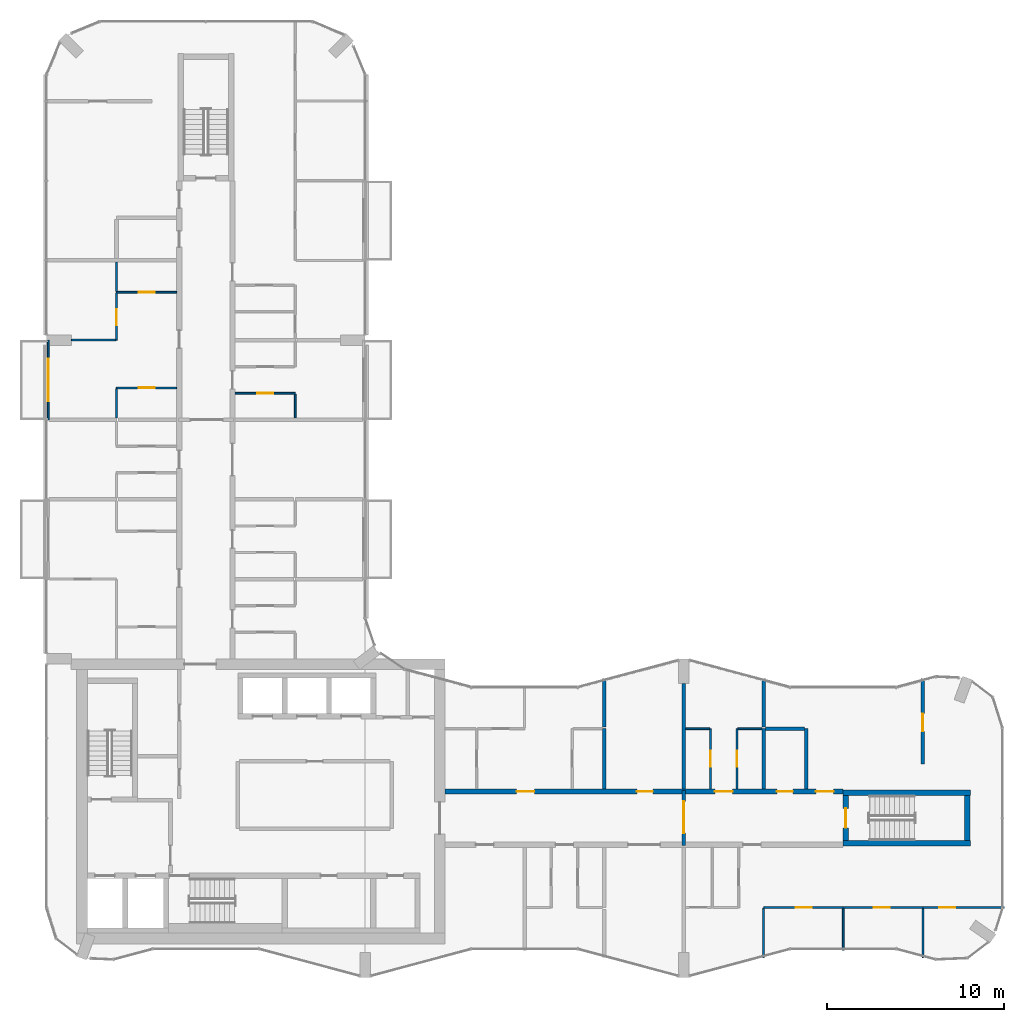
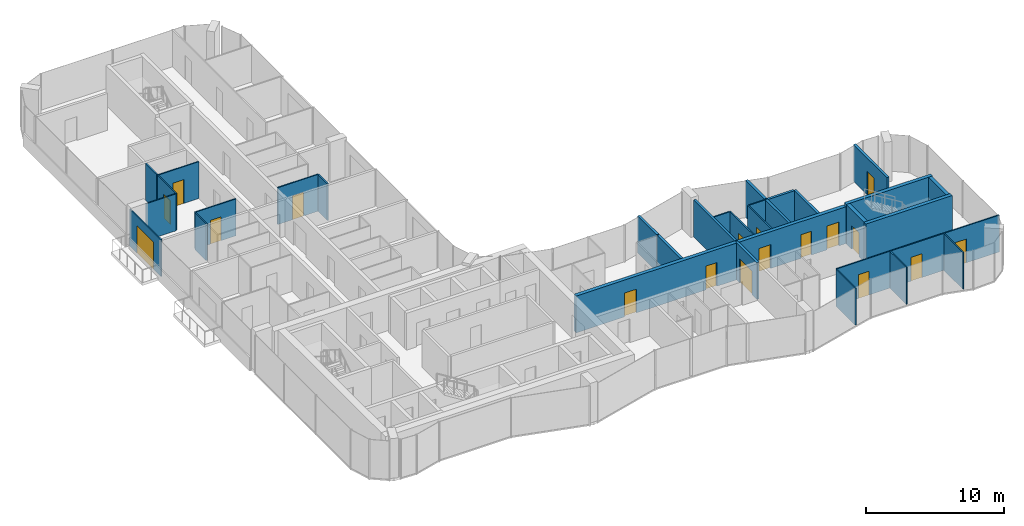
# One storey, part 12 of 17: 31 walls, 18 doors, 18 openings.
"""IFC4 building model written with IfcOpenShell, lengths in metres."""

from ifc_helpers import new_model, si_unit, direction, frame, frame_2d, origin, place, context, subcontext, project, spatial, rectangle, extrude, material, layer, layer_set, type_object, element, fill, save


model = new_model("IFC4")

# Units and contexts
model_context = context("Model", 3, precision=1e-05, world=origin(), true_north=direction((0.0, 1.0)))
body_context = subcontext(model_context, "Body", "Model", "MODEL_VIEW")
ifc_project = project(units=[si_unit("LENGTHUNIT", "METRE"), si_unit("AREAUNIT", "SQUARE_METRE"), si_unit("VOLUMEUNIT", "CUBIC_METRE"), si_unit("PLANEANGLEUNIT", "RADIAN"), si_unit("MASSUNIT", "GRAM", prefix="KILO")], contexts=[model_context])

# Site, building, storey
site_placement = place(None, origin())
site = spatial("IfcSite", under=ifc_project, at=site_placement, CompositionType="ELEMENT")
building_placement = place(site_placement, origin())
building = spatial("IfcBuilding", under=site, at=building_placement, Name="Plateau Cross Towers", CompositionType="ELEMENT")
storey_placement = place(building_placement, frame((0.0, 0.0, 146.39990234375)))
storey = spatial("IfcBuildingStorey", under=building, at=storey_placement, Name="L37", CompositionType="ELEMENT", Elevation=146.39990234375)

# Wall, opening, door
ifc_material_1 = material(Name="Aluminium framed glazing", Category="aluminium")
ifc_layer_1 = layer(ifc_material_1, 0.10009765625)
ifc_layer_set_1 = layer_set([ifc_layer_1], Name="Aluminium framed glazing")
wall_type_1 = type_object("IfcWallType", Name="Balcony screen wall 100", PredefinedType="STANDARD", material=ifc_layer_set_1)
wall_1_placement = place(storey_placement, frame((0.10009765625, 31.5, 0.0), z_axis=(0.0, 0.0, 1.0), x_axis=(0.0, 1.0, 0.0)))
wall_1 = element("IfcWall", 1, at=wall_1_placement, inside=storey, type_object=wall_type_1, Name="Balcony screen wall A-BAL-L37-02", PredefinedType="STANDARD", context=body_context, shape_type="SweptSolid", body=[
    extrude(rectangle(XDim=4.5, YDim=0.10009765625, at=frame_2d((2.25, 0.0))), origin(), (0.0, 0.0, 1.0), 3.25),
])
opening_1_placement = place(wall_1_placement, frame((1.050048828125, 0.0, 0.0)))
opening_1 = element("IfcOpeningElement", 2, at=opening_1_placement, cuts=wall_1, Name="Opening D-B24", PredefinedType="OPENING", context=body_context, shape_type="SweptSolid", body=[
    extrude(rectangle(XDim=2.39990234375, YDim=2.39990234375, at=frame_2d((1.199951171875, 1.199951171875))), frame((0.0, 0.06005859375, 0.0), z_axis=(0.0, -1.0, 0.0), x_axis=(1.0, 0.0, 0.0)), (0.0, 0.0, 1.0), 0.1201171875),
])
ifc_material_2 = material(Name="Aluminium frame, double glazing", Category="aluminium")
door_type_1 = type_object("IfcDoorType", Name="Balcony sliding door 2400", OperationType="NOTDEFINED", PredefinedType="DOOR", material=ifc_material_2)
door_1_placement = place(opening_1_placement, origin())
door_1 = element("IfcDoor", 3, at=door_1_placement, inside=storey, type_object=door_type_1, Name="Balcony door A-BAL-L37-02", OperationType="SINGLE_SWING_LEFT", OverallHeight=2.39990234375, OverallWidth=2.39990234375, PredefinedType="DOOR", context=body_context, shape_type="SweptSolid", body=[
    extrude(rectangle(XDim=2.39990234375, YDim=2.39990234375, at=frame_2d((1.199951171875, 1.199951171875))), frame((0.0, 0.02490234375, 0.0), z_axis=(0.0, -1.0, 0.0), x_axis=(1.0, 0.0, 0.0)), (0.0, 0.0, 1.0), 0.050048828125),
])
fill(opening_1, door_1)

# Wall, openings, doors
ifc_material_3 = material(Name="Concrete C60/75", Category="concrete")
ifc_layer_2 = layer(ifc_material_3, 0.300048828125)
ifc_layer_set_2 = layer_set([ifc_layer_2], Name="Concrete C60/75")
wall_type_2 = type_object("IfcWallType", Name="Corridor wall 300", PredefinedType="SHEAR", material=ifc_layer_set_2)
wall_2_placement = place(storey_placement, frame((22.5, 10.5, 0.0), z_axis=(0.0, 0.0, 1.0), x_axis=(1.0, 0.0, 0.0)))
wall_2 = element("IfcWall", 4, at=wall_2_placement, inside=storey, type_object=wall_type_2, Name="A-cw-S2@L37", PredefinedType="SHEAR", context=body_context, shape_type="SweptSolid", body=[
    extrude(rectangle(XDim=22.5, YDim=0.300048828125, at=frame_2d((11.25, 0.0))), origin(), (0.0, 0.0, 1.0), 3.25),
])
opening_2_placement = place(wall_2_placement, frame((4.050048828125, 0.0, 0.0)))
opening_2 = element("IfcOpeningElement", 5, at=opening_2_placement, cuts=wall_2, Name="Opening 37-05", PredefinedType="OPENING", context=body_context, shape_type="SweptSolid", body=[
    extrude(rectangle(XDim=1.0, YDim=2.10009765625, at=frame_2d((0.5, 1.050048828125))), frame((0.0, 0.159912109375, 0.0), z_axis=(0.0, -1.0, 0.0), x_axis=(1.0, 0.0, 0.0)), (0.0, 0.0, 1.0), 0.320068359375),
])
opening_3_placement = place(wall_2_placement, frame((10.85009765625, 0.0, 0.0)))
opening_3 = element("IfcOpeningElement", 6, at=opening_3_placement, cuts=wall_2, Name="Opening 37-06", PredefinedType="OPENING", context=body_context, shape_type="SweptSolid", body=[
    extrude(rectangle(XDim=0.89990234375, YDim=2.10009765625, at=frame_2d((0.449951171875, 1.050048828125))), frame((0.0, 0.159912109375, 0.0), z_axis=(0.0, -1.0, 0.0), x_axis=(1.0, 0.0, 0.0)), (0.0, 0.0, 1.0), 0.320068359375),
])
opening_4_placement = place(wall_2_placement, frame((15.25, 0.0, 0.0)))
opening_4 = element("IfcOpeningElement", 7, at=opening_4_placement, cuts=wall_2, Name="Opening 37-07", PredefinedType="OPENING", context=body_context, shape_type="SweptSolid", body=[
    extrude(rectangle(XDim=1.0, YDim=2.10009765625, at=frame_2d((0.5, 1.050048828125))), frame((0.0, 0.159912109375, 0.0), z_axis=(0.0, -1.0, 0.0), x_axis=(1.0, 0.0, 0.0)), (0.0, 0.0, 1.0), 0.320068359375),
])
opening_5_placement = place(wall_2_placement, frame((18.75, 0.0, 0.0)))
opening_5 = element("IfcOpeningElement", 8, at=opening_5_placement, cuts=wall_2, Name="Opening 37-08", PredefinedType="OPENING", context=body_context, shape_type="SweptSolid", body=[
    extrude(rectangle(XDim=0.89990234375, YDim=2.10009765625, at=frame_2d((0.449951171875, 1.050048828125))), frame((0.0, 0.159912109375, 0.0), z_axis=(0.0, -1.0, 0.0), x_axis=(1.0, 0.0, 0.0)), (0.0, 0.0, 1.0), 0.320068359375),
])
opening_6_placement = place(wall_2_placement, frame((20.949951171875, 0.0, 0.0)))
opening_6 = element("IfcOpeningElement", 9, at=opening_6_placement, cuts=wall_2, Name="Opening 37-09", PredefinedType="OPENING", context=body_context, shape_type="SweptSolid", body=[
    extrude(rectangle(XDim=1.0, YDim=2.10009765625, at=frame_2d((0.5, 1.050048828125))), frame((0.0, 0.159912109375, 0.0), z_axis=(0.0, -1.0, 0.0), x_axis=(1.0, 0.0, 0.0)), (0.0, 0.0, 1.0), 0.320068359375),
])
ifc_material_4 = material(Name="Timber, fire-resisting leaf", Category="wood")
door_type_2 = type_object("IfcDoorType", Name="Flat entrance door 1000", OperationType="NOTDEFINED", PredefinedType="DOOR", material=ifc_material_4)
door_2_placement = place(opening_2_placement, origin())
door_2 = element("IfcDoor", 10, at=door_2_placement, inside=storey, type_object=door_type_2, Name="Door 37-05", OperationType="SINGLE_SWING_LEFT", OverallHeight=2.10009765625, OverallWidth=1.0, PredefinedType="DOOR", context=body_context, shape_type="SweptSolid", body=[
    extrude(rectangle(XDim=1.0, YDim=2.10009765625, at=frame_2d((0.5, 1.050048828125))), frame((0.0, 0.02490234375, 0.0), z_axis=(0.0, -1.0, 0.0), x_axis=(1.0, 0.0, 0.0)), (0.0, 0.0, 1.0), 0.050048828125),
])
fill(opening_2, door_2)
door_3_placement = place(opening_4_placement, origin())
door_3 = element("IfcDoor", 11, at=door_3_placement, inside=storey, type_object=door_type_2, Name="Door 37-07", OperationType="SINGLE_SWING_RIGHT", OverallHeight=2.10009765625, OverallWidth=1.0, PredefinedType="DOOR", context=body_context, shape_type="SweptSolid", body=[
    extrude(rectangle(XDim=1.0, YDim=2.10009765625, at=frame_2d((0.5, 1.050048828125))), frame((0.0, 0.02490234375, 0.0), z_axis=(0.0, -1.0, 0.0), x_axis=(1.0, 0.0, 0.0)), (0.0, 0.0, 1.0), 0.050048828125),
])
fill(opening_4, door_3)
door_4_placement = place(opening_6_placement, origin())
door_4 = element("IfcDoor", 12, at=door_4_placement, inside=storey, type_object=door_type_2, Name="Door 37-09", OperationType="SINGLE_SWING_RIGHT", OverallHeight=2.10009765625, OverallWidth=1.0, PredefinedType="DOOR", context=body_context, shape_type="SweptSolid", body=[
    extrude(rectangle(XDim=1.0, YDim=2.10009765625, at=frame_2d((0.5, 1.050048828125))), frame((0.0, 0.02490234375, 0.0), z_axis=(0.0, -1.0, 0.0), x_axis=(1.0, 0.0, 0.0)), (0.0, 0.0, 1.0), 0.050048828125),
])
fill(opening_6, door_4)
door_type_3 = type_object("IfcDoorType", Name="Flat floor service door 900", OperationType="NOTDEFINED", PredefinedType="DOOR", material=ifc_material_4)
door_5_placement = place(opening_3_placement, origin())
door_5 = element("IfcDoor", 13, at=door_5_placement, inside=storey, type_object=door_type_3, Name="Door 37-06", OperationType="SINGLE_SWING_RIGHT", OverallHeight=2.10009765625, OverallWidth=0.89990234375, PredefinedType="DOOR", context=body_context, shape_type="SweptSolid", body=[
    extrude(rectangle(XDim=0.89990234375, YDim=2.10009765625, at=frame_2d((0.449951171875, 1.050048828125))), frame((0.0, 0.02490234375, 0.0), z_axis=(0.0, -1.0, 0.0), x_axis=(1.0, 0.0, 0.0)), (0.0, 0.0, 1.0), 0.050048828125),
])
fill(opening_3, door_5)
door_6_placement = place(opening_5_placement, origin())
door_6 = element("IfcDoor", 14, at=door_6_placement, inside=storey, type_object=door_type_3, Name="Door 37-08", OperationType="SINGLE_SWING_RIGHT", OverallHeight=2.10009765625, OverallWidth=0.89990234375, PredefinedType="DOOR", context=body_context, shape_type="SweptSolid", body=[
    extrude(rectangle(XDim=0.89990234375, YDim=2.10009765625, at=frame_2d((0.449951171875, 1.050048828125))), frame((0.0, 0.02490234375, 0.0), z_axis=(0.0, -1.0, 0.0), x_axis=(1.0, 0.0, 0.0)), (0.0, 0.0, 1.0), 0.050048828125),
])
fill(opening_5, door_6)

ifc_material_5 = material(Name="Gypsum board on steel studs", Category="steel")
ifc_layer_3 = layer(ifc_material_5, 0.10009765625)
ifc_layer_set_3 = layer_set([ifc_layer_3], Name="Gypsum board on steel studs")
wall_type_3 = type_object("IfcWallType", Name="Flat partition 100", PredefinedType="PARTITIONING", material=ifc_layer_set_3)
wall_3_placement = place(storey_placement, frame((54.080078125, 3.949951171875, 0.0), z_axis=(0.0, 0.0, 1.0), x_axis=(-1.0, 0.0, 0.0)))
wall_3 = element("IfcWall", 15, at=wall_3_placement, inside=storey, type_object=wall_type_3, Name="Partition wall", PredefinedType="PARTITIONING", context=body_context, shape_type="SweptSolid", body=[
    extrude(rectangle(XDim=13.580078125, YDim=0.10009765625, at=frame_2d((6.7900390625, 0.0))), origin(), (0.0, 0.0, 1.0), 3.25),
])
opening_7_placement = place(wall_3_placement, frame((10.85009765625, 0.0, 0.0)))
opening_7 = element("IfcOpeningElement", 16, at=opening_7_placement, cuts=wall_3, Name="Opening 37-28", PredefinedType="OPENING", context=body_context, shape_type="SweptSolid", body=[
    extrude(rectangle(XDim=0.89990234375, YDim=2.10009765625, at=frame_2d((0.449951171875, 1.050048828125))), frame((0.0, 0.06005859375, 0.0), z_axis=(0.0, -1.0, 0.0), x_axis=(1.0, 0.0, 0.0)), (0.0, 0.0, 1.0), 0.1201171875),
])
opening_8_placement = place(wall_3_placement, frame((6.449951171875, 0.0, 0.0)))
opening_8 = element("IfcOpeningElement", 17, at=opening_8_placement, cuts=wall_3, Name="Opening 37-29", PredefinedType="OPENING", context=body_context, shape_type="SweptSolid", body=[
    extrude(rectangle(XDim=0.89990234375, YDim=2.10009765625, at=frame_2d((0.449951171875, 1.050048828125))), frame((0.0, 0.06005859375, 0.0), z_axis=(0.0, -1.0, 0.0), x_axis=(1.0, 0.0, 0.0)), (0.0, 0.0, 1.0), 0.1201171875),
])
opening_9_placement = place(wall_3_placement, frame((2.75, 0.0, 0.0)))
opening_9 = element("IfcOpeningElement", 18, at=opening_9_placement, cuts=wall_3, Name="Opening 37-30", PredefinedType="OPENING", context=body_context, shape_type="SweptSolid", body=[
    extrude(rectangle(XDim=0.89990234375, YDim=2.10009765625, at=frame_2d((0.449951171875, 1.050048828125))), frame((0.0, 0.06005859375, 0.0), z_axis=(0.0, -1.0, 0.0), x_axis=(1.0, 0.0, 0.0)), (0.0, 0.0, 1.0), 0.1201171875),
])
ifc_material_6 = material(Name="Timber leaf", Category="wood")
door_type_4 = type_object("IfcDoorType", Name="Flat room door 900", OperationType="NOTDEFINED", PredefinedType="DOOR", material=ifc_material_6)
door_7_placement = place(opening_7_placement, origin())
door_7 = element("IfcDoor", 19, at=door_7_placement, inside=storey, type_object=door_type_4, Name="Door 37-28", OperationType="SINGLE_SWING_RIGHT", OverallHeight=2.10009765625, OverallWidth=0.89990234375, PredefinedType="DOOR", context=body_context, shape_type="SweptSolid", body=[
    extrude(rectangle(XDim=0.89990234375, YDim=2.10009765625, at=frame_2d((0.449951171875, 1.050048828125))), frame((0.0, 0.02490234375, 0.0), z_axis=(0.0, -1.0, 0.0), x_axis=(1.0, 0.0, 0.0)), (0.0, 0.0, 1.0), 0.050048828125),
])
fill(opening_7, door_7)
door_8_placement = place(opening_8_placement, origin())
door_8 = element("IfcDoor", 20, at=door_8_placement, inside=storey, type_object=door_type_4, Name="Door 37-29", OperationType="SINGLE_SWING_RIGHT", OverallHeight=2.10009765625, OverallWidth=0.89990234375, PredefinedType="DOOR", context=body_context, shape_type="SweptSolid", body=[
    extrude(rectangle(XDim=0.89990234375, YDim=2.10009765625, at=frame_2d((0.449951171875, 1.050048828125))), frame((0.0, 0.02490234375, 0.0), z_axis=(0.0, -1.0, 0.0), x_axis=(1.0, 0.0, 0.0)), (0.0, 0.0, 1.0), 0.050048828125),
])
fill(opening_8, door_8)
door_9_placement = place(opening_9_placement, origin())
door_9 = element("IfcDoor", 21, at=door_9_placement, inside=storey, type_object=door_type_4, Name="Door 37-30", OperationType="SINGLE_SWING_LEFT", OverallHeight=2.10009765625, OverallWidth=0.89990234375, PredefinedType="DOOR", context=body_context, shape_type="SweptSolid", body=[
    extrude(rectangle(XDim=0.89990234375, YDim=2.10009765625, at=frame_2d((0.449951171875, 1.050048828125))), frame((0.0, 0.02490234375, 0.0), z_axis=(0.0, -1.0, 0.0), x_axis=(1.0, 0.0, 0.0)), (0.0, 0.0, 1.0), 0.050048828125),
])
fill(opening_9, door_9)

# Walls
for number, where, z_axis, x_axis, name in (
    (22, (37.449951171875, 14.050048828125, 0.0), (0.0, 0.0, 1.0), (-1.0, 0.0, 0.0), "Partition wall"),
    (23, (40.39990234375, 14.050048828125, 0.0), (0.0, 0.0, 1.0), (-1.0, 0.0, 0.0), "Partition wall"),
):
    element("IfcWall", number, at=place(storey_placement, frame(where, z_axis=z_axis, x_axis=x_axis)), inside=storey, type_object=wall_type_3, Name=name, PredefinedType="PARTITIONING", context=body_context, shape_type="SweptSolid", body=[
        extrude(rectangle(XDim=1.349853515625, YDim=0.10009765625, at=frame_2d((0.6748046875, 0.0))), origin(), (0.0, 0.0, 1.0), 3.25),
    ])

# Wall, opening, door
wall_4_placement = place(storey_placement, frame((14.050048828125, 33.0, 0.0), z_axis=(0.0, 0.0, 1.0), x_axis=(-1.0, 0.0, 0.0)))
wall_4 = element("IfcWall", 24, at=wall_4_placement, inside=storey, type_object=wall_type_3, Name="Partition wall", PredefinedType="PARTITIONING", context=body_context, shape_type="SweptSolid", body=[
    extrude(rectangle(XDim=3.400146484375, YDim=0.10009765625, at=frame_2d((1.7001953125, 0.0))), origin(), (0.0, 0.0, 1.0), 3.25),
])
opening_10_placement = place(wall_4_placement, frame((1.25, 0.0, 0.0)))
opening_10 = element("IfcOpeningElement", 25, at=opening_10_placement, cuts=wall_4, Name="Opening 37-48", PredefinedType="OPENING", context=body_context, shape_type="SweptSolid", body=[
    extrude(rectangle(XDim=0.89990234375, YDim=2.10009765625, at=frame_2d((0.449951171875, 1.050048828125))), frame((0.0, 0.06005859375, 0.0), z_axis=(0.0, -1.0, 0.0), x_axis=(1.0, 0.0, 0.0)), (0.0, 0.0, 1.0), 0.1201171875),
])
door_10_placement = place(opening_10_placement, origin())
door_10 = element("IfcDoor", 26, at=door_10_placement, inside=storey, type_object=door_type_4, Name="Door 37-48", OperationType="SINGLE_SWING_LEFT", OverallHeight=2.10009765625, OverallWidth=0.89990234375, PredefinedType="DOOR", context=body_context, shape_type="SweptSolid", body=[
    extrude(rectangle(XDim=0.89990234375, YDim=2.10009765625, at=frame_2d((0.449951171875, 1.050048828125))), frame((0.0, 0.02490234375, 0.0), z_axis=(0.0, -1.0, 0.0), x_axis=(1.0, 0.0, 0.0)), (0.0, 0.0, 1.0), 0.050048828125),
])
fill(opening_10, door_10)

wall_5_placement = place(storey_placement, frame((7.35009765625, 33.300048828125, 0.0), z_axis=(0.0, 0.0, 1.0), x_axis=(-1.0, 0.0, 0.0)))
wall_5 = element("IfcWall", 27, at=wall_5_placement, inside=storey, type_object=wall_type_3, Name="Partition wall", PredefinedType="PARTITIONING", context=body_context, shape_type="SweptSolid", body=[
    extrude(rectangle(XDim=3.400146484375, YDim=0.10009765625, at=frame_2d((1.7001953125, 0.0))), origin(), (0.0, 0.0, 1.0), 3.25),
])
opening_11_placement = place(wall_5_placement, frame((1.25, 0.0, 0.0)))
opening_11 = element("IfcOpeningElement", 28, at=opening_11_placement, cuts=wall_5, Name="Opening 37-41", PredefinedType="OPENING", context=body_context, shape_type="SweptSolid", body=[
    extrude(rectangle(XDim=0.89990234375, YDim=2.10009765625, at=frame_2d((0.449951171875, 1.050048828125))), frame((0.0, 0.06005859375, 0.0), z_axis=(0.0, -1.0, 0.0), x_axis=(1.0, 0.0, 0.0)), (0.0, 0.0, 1.0), 0.1201171875),
])
door_11_placement = place(opening_11_placement, origin())
door_11 = element("IfcDoor", 29, at=door_11_placement, inside=storey, type_object=door_type_4, Name="Door 37-41", OperationType="SINGLE_SWING_RIGHT", OverallHeight=2.10009765625, OverallWidth=0.89990234375, PredefinedType="DOOR", context=body_context, shape_type="SweptSolid", body=[
    extrude(rectangle(XDim=0.89990234375, YDim=2.10009765625, at=frame_2d((0.449951171875, 1.050048828125))), frame((0.0, 0.02490234375, 0.0), z_axis=(0.0, -1.0, 0.0), x_axis=(1.0, 0.0, 0.0)), (0.0, 0.0, 1.0), 0.050048828125),
])
fill(opening_11, door_11)

# Wall
wall_6_placement = place(storey_placement, frame((1.39990234375, 36.0, 0.0), z_axis=(0.0, 0.0, 1.0), x_axis=(1.0, 0.0, 0.0)))
element("IfcWall", 30, at=wall_6_placement, inside=storey, type_object=wall_type_3, Name="Partition wall", PredefinedType="PARTITIONING", context=body_context, shape_type="SweptSolid", body=[
    extrude(rectangle(XDim=2.5, YDim=0.10009765625, at=frame_2d((1.25, 0.0))), origin(), (0.0, 0.0, 1.0), 3.25),
])

# Wall, opening, door
wall_7_placement = place(storey_placement, frame((3.949951171875, 38.699951171875, 0.0), z_axis=(0.0, 0.0, 1.0), x_axis=(1.0, 0.0, 0.0)))
wall_7 = element("IfcWall", 31, at=wall_7_placement, inside=storey, type_object=wall_type_3, Name="Partition wall", PredefinedType="PARTITIONING", context=body_context, shape_type="SweptSolid", body=[
    extrude(rectangle(XDim=3.400146484375, YDim=0.10009765625, at=frame_2d((1.7001953125, 0.0))), origin(), (0.0, 0.0, 1.0), 3.25),
])
opening_12_placement = place(wall_7_placement, frame((1.25, 0.0, 0.0)))
opening_12 = element("IfcOpeningElement", 32, at=opening_12_placement, cuts=wall_7, Name="Opening 37-42", PredefinedType="OPENING", context=body_context, shape_type="SweptSolid", body=[
    extrude(rectangle(XDim=0.89990234375, YDim=2.10009765625, at=frame_2d((0.449951171875, 1.050048828125))), frame((0.0, 0.06005859375, 0.0), z_axis=(0.0, -1.0, 0.0), x_axis=(1.0, 0.0, 0.0)), (0.0, 0.0, 1.0), 0.1201171875),
])
door_12_placement = place(opening_12_placement, origin())
door_12 = element("IfcDoor", 33, at=door_12_placement, inside=storey, type_object=door_type_4, Name="Door 37-42", OperationType="SINGLE_SWING_RIGHT", OverallHeight=2.10009765625, OverallWidth=0.89990234375, PredefinedType="DOOR", context=body_context, shape_type="SweptSolid", body=[
    extrude(rectangle(XDim=0.89990234375, YDim=2.10009765625, at=frame_2d((0.449951171875, 1.050048828125))), frame((0.0, 0.02490234375, 0.0), z_axis=(0.0, -1.0, 0.0), x_axis=(1.0, 0.0, 0.0)), (0.0, 0.0, 1.0), 0.050048828125),
])
fill(opening_12, door_12)

# Walls
for number, where, z_axis, x_axis, name in (
    (34, (3.949951171875, 33.25, 0.0), (0.0, 0.0, 1.0), (0.0, -1.0, 0.0), "Partition wall"),
    (35, (3.949951171875, 40.39990234375, 0.0), (0.0, 0.0, 1.0), (0.0, -1.0, 0.0), "Partition wall"),
):
    element("IfcWall", number, at=place(storey_placement, frame(where, z_axis=z_axis, x_axis=x_axis)), inside=storey, type_object=wall_type_3, Name=name, PredefinedType="PARTITIONING", context=body_context, shape_type="SweptSolid", body=[
        extrude(rectangle(XDim=1.64990234375, YDim=0.10009765625, at=frame_2d((0.824951171875, 0.0))), origin(), (0.0, 0.0, 1.0), 3.25),
    ])

# Wall, opening, door
wall_8_placement = place(storey_placement, frame((3.949951171875, 36.0, 0.0), z_axis=(0.0, 0.0, 1.0), x_axis=(0.0, 1.0, 0.0)))
wall_8 = element("IfcWall", 36, at=wall_8_placement, inside=storey, type_object=wall_type_3, Name="Partition wall", PredefinedType="PARTITIONING", context=body_context, shape_type="SweptSolid", body=[
    extrude(rectangle(XDim=2.64990234375, YDim=0.10009765625, at=frame_2d((1.324951171875, 0.0))), origin(), (0.0, 0.0, 1.0), 3.25),
])
opening_13_placement = place(wall_8_placement, frame((0.85009765625, 0.0, 0.0)))
opening_13 = element("IfcOpeningElement", 37, at=opening_13_placement, cuts=wall_8, Name="Opening 37-43", PredefinedType="OPENING", context=body_context, shape_type="SweptSolid", body=[
    extrude(rectangle(XDim=0.89990234375, YDim=2.10009765625, at=frame_2d((0.449951171875, 1.050048828125))), frame((0.0, 0.06005859375, 0.0), z_axis=(0.0, -1.0, 0.0), x_axis=(1.0, 0.0, 0.0)), (0.0, 0.0, 1.0), 0.1201171875),
])
door_13_placement = place(opening_13_placement, origin())
door_13 = element("IfcDoor", 38, at=door_13_placement, inside=storey, type_object=door_type_4, Name="Door 37-43", OperationType="SINGLE_SWING_LEFT", OverallHeight=2.10009765625, OverallWidth=0.89990234375, PredefinedType="DOOR", context=body_context, shape_type="SweptSolid", body=[
    extrude(rectangle(XDim=0.89990234375, YDim=2.10009765625, at=frame_2d((0.449951171875, 1.050048828125))), frame((0.0, 0.02490234375, 0.0), z_axis=(0.0, -1.0, 0.0), x_axis=(1.0, 0.0, 0.0)), (0.0, 0.0, 1.0), 0.050048828125),
])
fill(opening_13, door_13)

# Wall
wall_9_placement = place(storey_placement, frame((14.050048828125, 31.60009765625, 0.0), z_axis=(0.0, 0.0, 1.0), x_axis=(0.0, 1.0, 0.0)))
element("IfcWall", 39, at=wall_9_placement, inside=storey, type_object=wall_type_3, Name="Partition wall", PredefinedType="PARTITIONING", context=body_context, shape_type="SweptSolid", body=[
    extrude(rectangle(XDim=1.349853515625, YDim=0.10009765625, at=frame_2d((0.6748046875, 0.0))), origin(), (0.0, 0.0, 1.0), 3.25),
])

# Wall, opening, door
wall_10_placement = place(storey_placement, frame((37.5, 10.64990234375, 0.0), z_axis=(0.0, 0.0, 1.0), x_axis=(0.0, 1.0, 0.0)))
wall_10 = element("IfcWall", 40, at=wall_10_placement, inside=storey, type_object=wall_type_3, Name="Partition wall", PredefinedType="PARTITIONING", context=body_context, shape_type="SweptSolid", body=[
    extrude(rectangle(XDim=3.400146484375, YDim=0.10009765625, at=frame_2d((1.7001953125, 0.0))), origin(), (0.0, 0.0, 1.0), 3.25),
])
opening_14_placement = place(wall_10_placement, frame((1.25, 0.0, 0.0)))
opening_14 = element("IfcOpeningElement", 41, at=opening_14_placement, cuts=wall_10, Name="Opening 37-34", PredefinedType="OPENING", context=body_context, shape_type="SweptSolid", body=[
    extrude(rectangle(XDim=0.89990234375, YDim=2.10009765625, at=frame_2d((0.449951171875, 1.050048828125))), frame((0.0, 0.06005859375, 0.0), z_axis=(0.0, -1.0, 0.0), x_axis=(1.0, 0.0, 0.0)), (0.0, 0.0, 1.0), 0.1201171875),
])
door_14_placement = place(opening_14_placement, origin())
door_14 = element("IfcDoor", 42, at=door_14_placement, inside=storey, type_object=door_type_4, Name="Door 37-34", OperationType="SINGLE_SWING_LEFT", OverallHeight=2.10009765625, OverallWidth=0.89990234375, PredefinedType="DOOR", context=body_context, shape_type="SweptSolid", body=[
    extrude(rectangle(XDim=0.89990234375, YDim=2.10009765625, at=frame_2d((0.449951171875, 1.050048828125))), frame((0.0, 0.02490234375, 0.0), z_axis=(0.0, -1.0, 0.0), x_axis=(1.0, 0.0, 0.0)), (0.0, 0.0, 1.0), 0.050048828125),
])
fill(opening_14, door_14)

wall_11_placement = place(storey_placement, frame((39.0, 14.050048828125, 0.0), z_axis=(0.0, 0.0, 1.0), x_axis=(0.0, -1.0, 0.0)))
wall_11 = element("IfcWall", 43, at=wall_11_placement, inside=storey, type_object=wall_type_3, Name="Partition wall", PredefinedType="PARTITIONING", context=body_context, shape_type="SweptSolid", body=[
    extrude(rectangle(XDim=3.400146484375, YDim=0.10009765625, at=frame_2d((1.7001953125, 0.0))), origin(), (0.0, 0.0, 1.0), 3.25),
])
opening_15_placement = place(wall_11_placement, frame((1.25, 0.0, 0.0)))
opening_15 = element("IfcOpeningElement", 44, at=opening_15_placement, cuts=wall_11, Name="Opening 37-35", PredefinedType="OPENING", context=body_context, shape_type="SweptSolid", body=[
    extrude(rectangle(XDim=0.89990234375, YDim=2.10009765625, at=frame_2d((0.449951171875, 1.050048828125))), frame((0.0, 0.06005859375, 0.0), z_axis=(0.0, -1.0, 0.0), x_axis=(1.0, 0.0, 0.0)), (0.0, 0.0, 1.0), 0.1201171875),
])
door_15_placement = place(opening_15_placement, origin())
door_15 = element("IfcDoor", 45, at=door_15_placement, inside=storey, type_object=door_type_4, Name="Door 37-35", OperationType="SINGLE_SWING_LEFT", OverallHeight=2.10009765625, OverallWidth=0.89990234375, PredefinedType="DOOR", context=body_context, shape_type="SweptSolid", body=[
    extrude(rectangle(XDim=0.89990234375, YDim=2.10009765625, at=frame_2d((0.449951171875, 1.050048828125))), frame((0.0, 0.02490234375, 0.0), z_axis=(0.0, -1.0, 0.0), x_axis=(1.0, 0.0, 0.0)), (0.0, 0.0, 1.0), 0.050048828125),
])
fill(opening_15, door_15)

# Walls
wall_12_placement = place(storey_placement, frame((40.5, 3.89990234375, 0.0), z_axis=(0.0, 0.0, 1.0), x_axis=(0.0, -1.0, 0.0)))
element("IfcWall", 46, at=wall_12_placement, inside=storey, type_object=wall_type_3, Name="Partition wall", PredefinedType="PARTITIONING", context=body_context, shape_type="SweptSolid", body=[
    extrude(rectangle(XDim=2.777587890625, YDim=0.10009765625, at=frame_2d((1.388671875, 0.0))), origin(), (0.0, 0.0, 1.0), 3.25),
])
wall_13_placement = place(storey_placement, frame((45.0, 1.52685546875, 0.0), z_axis=(0.0, 0.0, 1.0), x_axis=(0.0, 1.0, 0.0)))
element("IfcWall", 47, at=wall_13_placement, inside=storey, type_object=wall_type_3, Name="Partition wall", PredefinedType="PARTITIONING", context=body_context, shape_type="SweptSolid", body=[
    extrude(rectangle(XDim=2.373046875, YDim=0.10009765625, at=frame_2d((1.1865234375, 0.0))), origin(), (0.0, 0.0, 1.0), 3.25),
])
wall_14_placement = place(storey_placement, frame((49.5, 1.122314453125, 0.0), z_axis=(0.0, 0.0, 1.0), x_axis=(0.0, 1.0, 0.0)))
element("IfcWall", 48, at=wall_14_placement, inside=storey, type_object=wall_type_3, Name="Partition wall", PredefinedType="PARTITIONING", context=body_context, shape_type="SweptSolid", body=[
    extrude(rectangle(XDim=2.777587890625, YDim=0.10009765625, at=frame_2d((1.388671875, 0.0))), origin(), (0.0, 0.0, 1.0), 3.25),
])
ifc_material_7 = material(Name="Gypsum board on steel studs, two layers each side", Category="steel")
ifc_layer_4 = layer(ifc_material_7, 0.199951171875)
ifc_layer_set_4 = layer_set([ifc_layer_4], Name="Gypsum board on steel studs, two layers each side")
wall_type_4 = type_object("IfcWallType", Name="Flat party wall 200", PredefinedType="PARTITIONING", material=ifc_layer_set_4)
wall_15_placement = place(storey_placement, frame((42.800048828125, 14.050048828125, 0.0), z_axis=(0.0, 0.0, 1.0), x_axis=(-1.0, 0.0, 0.0)))
element("IfcWall", 49, at=wall_15_placement, inside=storey, type_object=wall_type_4, Name="Party wall", PredefinedType="PARTITIONING", context=body_context, shape_type="SweptSolid", body=[
    extrude(rectangle(XDim=2.199951171875, YDim=0.199951171875, at=frame_2d((1.10009765625, 0.0))), origin(), (0.0, 0.0, 1.0), 3.25),
])
wall_16_placement = place(storey_placement, frame((31.5, 16.877685546875, 0.0), z_axis=(0.0, 0.0, 1.0), x_axis=(0.0, -1.0, 0.0)))
element("IfcWall", 50, at=wall_16_placement, inside=storey, type_object=wall_type_4, Name="Party wall", PredefinedType="PARTITIONING", context=body_context, shape_type="SweptSolid", body=[
    extrude(rectangle(XDim=2.727783203125, YDim=0.199951171875, at=frame_2d((1.36376953125, 0.0))), origin(), (0.0, 0.0, 1.0), 3.25),
])
wall_17_placement = place(storey_placement, frame((31.5, 10.64990234375, 0.0), z_axis=(0.0, 0.0, 1.0), x_axis=(0.0, 1.0, 0.0)))
element("IfcWall", 51, at=wall_17_placement, inside=storey, type_object=wall_type_4, Name="Party wall", PredefinedType="PARTITIONING", context=body_context, shape_type="SweptSolid", body=[
    extrude(rectangle(XDim=3.400146484375, YDim=0.199951171875, at=frame_2d((1.7001953125, 0.0))), origin(), (0.0, 0.0, 1.0), 3.25),
])
wall_18_placement = place(storey_placement, frame((36.0, 10.64990234375, 0.0), z_axis=(0.0, 0.0, 1.0), x_axis=(0.0, 1.0, 0.0)))
element("IfcWall", 52, at=wall_18_placement, inside=storey, type_object=wall_type_4, Name="Party wall", PredefinedType="PARTITIONING", context=body_context, shape_type="SweptSolid", body=[
    extrude(rectangle(XDim=5.9501953125, YDim=0.199951171875, at=frame_2d((2.97509765625, 0.0))), origin(), (0.0, 0.0, 1.0), 3.25),
])
wall_19_placement = place(storey_placement, frame((40.5, 16.877685546875, 0.0), z_axis=(0.0, 0.0, 1.0), x_axis=(0.0, -1.0, 0.0)))
element("IfcWall", 53, at=wall_19_placement, inside=storey, type_object=wall_type_4, Name="Party wall", PredefinedType="PARTITIONING", context=body_context, shape_type="SweptSolid", body=[
    extrude(rectangle(XDim=2.727783203125, YDim=0.199951171875, at=frame_2d((1.36376953125, 0.0))), origin(), (0.0, 0.0, 1.0), 3.25),
])
for number, where, z_axis, x_axis, name in (
    (54, (40.5, 10.64990234375, 0.0), (0.0, 0.0, 1.0), (0.0, 1.0, 0.0), "Party wall"),
    (55, (42.89990234375, 10.64990234375, 0.0), (0.0, 0.0, 1.0), (0.0, 1.0, 0.0), "Party wall"),
):
    element("IfcWall", number, at=place(storey_placement, frame(where, z_axis=z_axis, x_axis=x_axis)), inside=storey, type_object=wall_type_4, Name=name, PredefinedType="PARTITIONING", context=body_context, shape_type="SweptSolid", body=[
        extrude(rectangle(XDim=3.400146484375, YDim=0.199951171875, at=frame_2d((1.7001953125, 0.0))), origin(), (0.0, 0.0, 1.0), 3.25),
    ])

# Wall, opening, door
wall_20_placement = place(storey_placement, frame((49.5, 12.050048828125, 0.0), z_axis=(0.0, 0.0, 1.0), x_axis=(0.0, 1.0, 0.0)))
wall_20 = element("IfcWall", 56, at=wall_20_placement, inside=storey, type_object=wall_type_4, Name="Party wall", PredefinedType="PARTITIONING", context=body_context, shape_type="SweptSolid", body=[
    extrude(rectangle(XDim=4.82763671875, YDim=0.199951171875, at=frame_2d((2.413818359375, 0.0))), origin(), (0.0, 0.0, 1.0), 3.25),
])
opening_16_placement = place(wall_20_placement, frame((1.85009765625, 0.0, 0.0)))
opening_16 = element("IfcOpeningElement", 57, at=opening_16_placement, cuts=wall_20, Name="Opening 37-22", PredefinedType="OPENING", context=body_context, shape_type="SweptSolid", body=[
    extrude(rectangle(XDim=1.0, YDim=2.10009765625, at=frame_2d((0.5, 1.050048828125))), frame((0.0, 0.10986328125, 0.0), z_axis=(0.0, -1.0, 0.0), x_axis=(1.0, 0.0, 0.0)), (0.0, 0.0, 1.0), 0.219970703125),
])
door_16_placement = place(opening_16_placement, origin())
door_16 = element("IfcDoor", 58, at=door_16_placement, inside=storey, type_object=door_type_2, Name="Door 37-22", OperationType="SINGLE_SWING_LEFT", OverallHeight=2.10009765625, OverallWidth=1.0, PredefinedType="DOOR", context=body_context, shape_type="SweptSolid", body=[
    extrude(rectangle(XDim=1.0, YDim=2.10009765625, at=frame_2d((0.5, 1.050048828125))), frame((0.0, 0.02490234375, 0.0), z_axis=(0.0, -1.0, 0.0), x_axis=(1.0, 0.0, 0.0)), (0.0, 0.0, 1.0), 0.050048828125),
])
fill(opening_16, door_16)

wall_21_placement = place(storey_placement, frame((36.0, 7.449951171875, 0.0), z_axis=(0.0, 0.0, 1.0), x_axis=(0.0, 1.0, 0.0)))
wall_21 = element("IfcWall", 59, at=wall_21_placement, inside=storey, type_object=wall_type_4, Name="Party wall", PredefinedType="PARTITIONING", context=body_context, shape_type="SweptSolid", body=[
    extrude(rectangle(XDim=3.10009765625, YDim=0.199951171875, at=frame_2d((1.550048828125, 0.0))), origin(), (0.0, 0.0, 1.0), 3.25),
])
opening_17_placement = place(wall_21_placement, frame((0.699951171875, 0.0, 0.0)))
opening_17 = element("IfcOpeningElement", 60, at=opening_17_placement, cuts=wall_21, Name="Opening 37-20", PredefinedType="OPENING", context=body_context, shape_type="SweptSolid", body=[
    extrude(rectangle(XDim=1.800048828125, YDim=2.10009765625, at=frame_2d((0.89990234375, 1.050048828125))), frame((0.0, 0.10986328125, 0.0), z_axis=(0.0, -1.0, 0.0), x_axis=(1.0, 0.0, 0.0)), (0.0, 0.0, 1.0), 0.219970703125),
])
ifc_material_8 = material(Name="Timber, fire-resisting leaves", Category="wood")
door_type_5 = type_object("IfcDoorType", Name="Flat floor fire door pair 1800", OperationType="NOTDEFINED", PredefinedType="DOOR", material=ifc_material_8)
door_17_placement = place(opening_17_placement, origin())
door_17 = element("IfcDoor", 61, at=door_17_placement, inside=storey, type_object=door_type_5, Name="Door 37-20", OperationType="SINGLE_SWING_RIGHT", OverallHeight=2.10009765625, OverallWidth=1.800048828125, PredefinedType="DOOR", context=body_context, shape_type="SweptSolid", body=[
    extrude(rectangle(XDim=1.800048828125, YDim=2.10009765625, at=frame_2d((0.89990234375, 1.050048828125))), frame((0.0, 0.02490234375, 0.0), z_axis=(0.0, -1.0, 0.0), x_axis=(1.0, 0.0, 0.0)), (0.0, 0.0, 1.0), 0.050048828125),
])
fill(opening_17, door_17)

ifc_layer_5 = layer(ifc_material_3, 0.300048828125)
ifc_layer_set_5 = layer_set([ifc_layer_5], Name="Concrete C60/75")
wall_type_5 = type_object("IfcWallType", Name="Stair tower wall 300", PredefinedType="SHEAR", material=ifc_layer_set_5)
wall_22_placement = place(storey_placement, frame((45.14990234375, 7.72509765625, 0.0), z_axis=(0.0, 0.0, 1.0), x_axis=(0.0, 1.0, 0.0)))
wall_22 = element("IfcWall", 62, at=wall_22_placement, inside=storey, type_object=wall_type_5, Name="A-end-E-W@L37", PredefinedType="SHEAR", context=body_context, shape_type="SweptSolid", body=[
    extrude(rectangle(XDim=2.5498046875, YDim=0.300048828125, at=frame_2d((1.27490234375, 0.0))), origin(), (0.0, 0.0, 1.0), 3.5),
])
opening_18_placement = place(wall_22_placement, frame((0.72509765625, 0.0, 0.0)))
opening_18 = element("IfcOpeningElement", 63, at=opening_18_placement, cuts=wall_22, Name="Opening SD", PredefinedType="OPENING", context=body_context, shape_type="SweptSolid", body=[
    extrude(rectangle(XDim=1.10009765625, YDim=2.10009765625, at=frame_2d((0.550048828125, 1.050048828125))), frame((0.0, 0.159912109375, 0.0), z_axis=(0.0, -1.0, 0.0), x_axis=(1.0, 0.0, 0.0)), (0.0, 0.0, 1.0), 0.320068359375),
])
ifc_material_9 = material(Name="Steel, fire-resisting leaf", Category="steel")
door_type_6 = type_object("IfcDoorType", Name="Stair door 1100", OperationType="NOTDEFINED", PredefinedType="DOOR", material=ifc_material_9)
door_18_placement = place(opening_18_placement, origin())
door_18 = element("IfcDoor", 64, at=door_18_placement, inside=storey, type_object=door_type_6, Name="Stair door SD", OperationType="SINGLE_SWING_LEFT", OverallHeight=2.10009765625, OverallWidth=1.10009765625, PredefinedType="DOOR", context=body_context, shape_type="SweptSolid", body=[
    extrude(rectangle(XDim=1.10009765625, YDim=2.10009765625, at=frame_2d((0.550048828125, 1.050048828125))), frame((0.0, 0.02490234375, 0.0), z_axis=(0.0, -1.0, 0.0), x_axis=(1.0, 0.0, 0.0)), (0.0, 0.0, 1.0), 0.050048828125),
])
fill(opening_18, door_18)

# Walls
wall_23_placement = place(storey_placement, frame((52.0, 7.72509765625, 0.0), z_axis=(0.0, 0.0, 1.0), x_axis=(0.0, 1.0, 0.0)))
element("IfcWall", 65, at=wall_23_placement, inside=storey, type_object=wall_type_5, Name="A-end-E-E@L37", PredefinedType="SHEAR", context=body_context, shape_type="SweptSolid", body=[
    extrude(rectangle(XDim=2.5498046875, YDim=0.300048828125, at=frame_2d((1.27490234375, 0.0))), origin(), (0.0, 0.0, 1.0), 3.5),
])
for number, where, z_axis, x_axis, name in (
    (66, (45.0, 7.574951171875, 0.0), (0.0, 0.0, 1.0), (1.0, 0.0, 0.0), "A-end-E-S@L37"),
    (67, (45.0, 10.425048828125, 0.0), (0.0, 0.0, 1.0), (1.0, 0.0, 0.0), "A-end-E-N@L37"),
):
    element("IfcWall", number, at=place(storey_placement, frame(where, z_axis=z_axis, x_axis=x_axis)), inside=storey, type_object=wall_type_5, Name=name, PredefinedType="SHEAR", context=body_context, shape_type="SweptSolid", body=[
        extrude(rectangle(XDim=7.199951171875, YDim=0.300048828125, at=frame_2d((3.60009765625, 0.0))), origin(), (0.0, 0.0, 1.0), 3.5),
    ])

save(model, "model.ifc")
